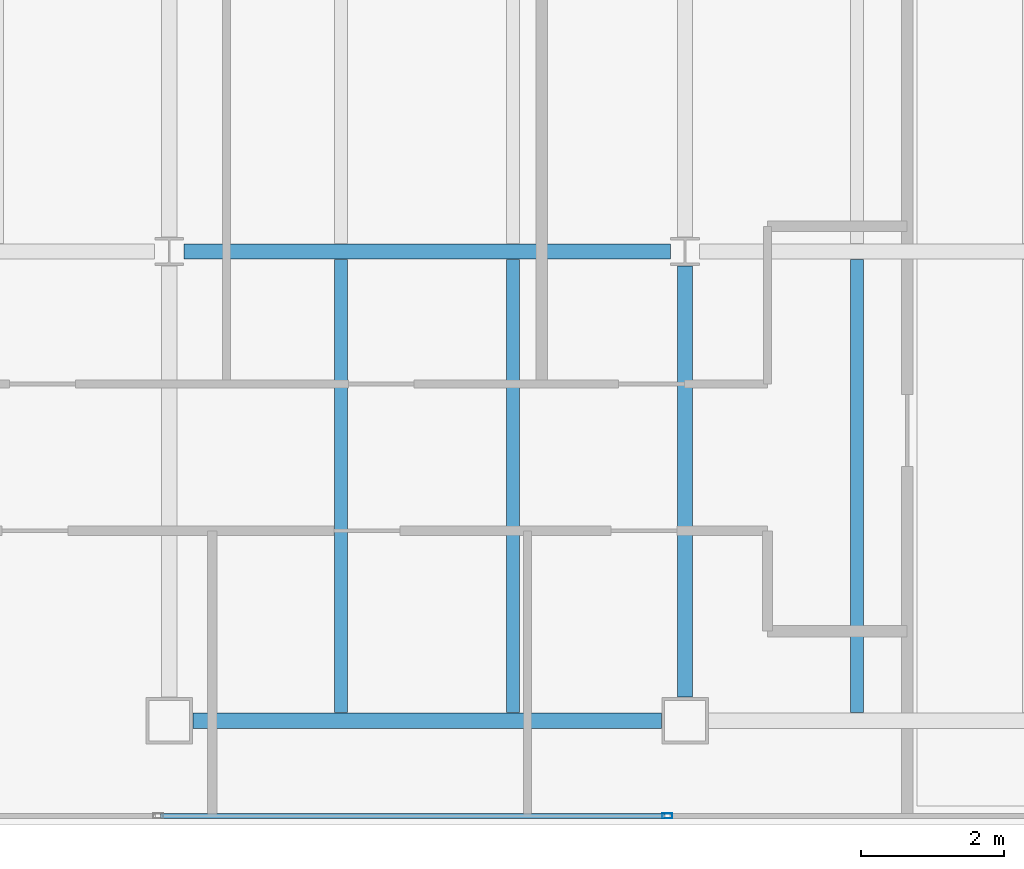
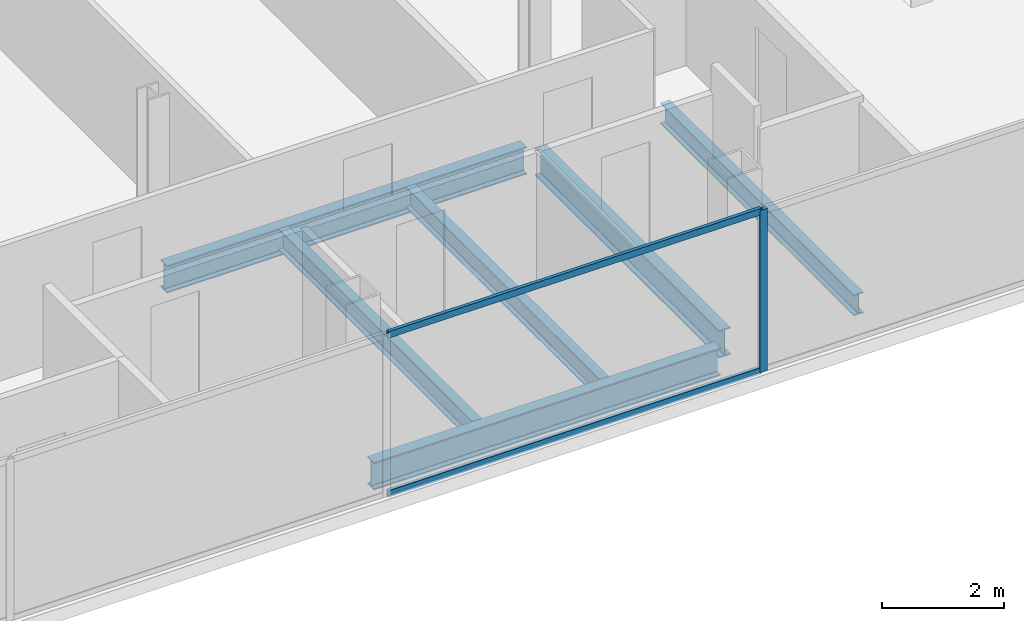
# One storey, part 6 of 23: 6 beams, 3 members, 1 element without a shape of its own.
"""IFC4 building model written with IfcOpenShell, lengths in metres."""

from ifc_helpers import new_model, si_unit, direction, frame, origin, origin_2d, place, context, subcontext, project, spatial, hollow_rectangle, i_section, extrude, material, material_profile, profile_set, type_object, element, aggregate, save


model = new_model("IFC4")

# Units and contexts
model_context = context("Model", 3, precision=1e-05, world=origin(), true_north=direction((0.0, 1.0)))
body_context = subcontext(model_context, "Body", "Model", "MODEL_VIEW")
ifc_project = project(units=[si_unit("LENGTHUNIT", "METRE"), si_unit("AREAUNIT", "SQUARE_METRE"), si_unit("VOLUMEUNIT", "CUBIC_METRE"), si_unit("PLANEANGLEUNIT", "RADIAN"), si_unit("MASSUNIT", "GRAM", prefix="KILO")], contexts=[model_context])

# Site, building, storey
site_placement = place(None, origin())
site = spatial("IfcSite", under=ifc_project, at=site_placement, CompositionType="ELEMENT")
building_placement = place(site_placement, origin())
building = spatial("IfcBuilding", under=site, at=building_placement, Name="Cobrela Telecom Tower", CompositionType="ELEMENT")
storey_placement = place(building_placement, frame((0.0, 0.0, 286.64990234375)))
storey = spatial("IfcBuildingStorey", under=building, at=storey_placement, Name="L75", CompositionType="ELEMENT", Elevation=286.64990234375)

# Beams
ifc_material_1 = material(Name="Steel ASTM A992 Grade 50", Category="steel")
ifc_material_profile_1 = material_profile(ifc_material_1, i_section(OverallWidth=0.212890625, OverallDepth=0.549072265625, WebThickness=0.0146484375, FlangeThickness=0.023681640625, FilletRadius=0.013916015625, at=origin_2d()), Name="W21X93")
ifc_profile_set_1 = profile_set([ifc_material_profile_1], Name="Steel ASTM A992 Grade 50")
beam_type_1 = type_object("IfcBeamType", Name="BM-GIRD-08", PredefinedType="USERDEFINED", material=ifc_profile_set_1)
beam_1_placement = place(storey_placement, frame((21.929931640625, 7.85009765625, -0.534423828125), z_axis=(1.0, 0.0, 0.0), x_axis=(0.0, 1.0, 0.0)))
element("IfcBeam", 1, at=beam_1_placement, inside=storey, type_object=beam_type_1, Name="L75 Primary Girder X03", ObjectType="GIRDER", PredefinedType="USERDEFINED", context=body_context, shape_type="SweptSolid", body=[
    extrude(i_section(OverallWidth=0.212890625, OverallDepth=0.549072265625, WebThickness=0.0146484375, FlangeThickness=0.023681640625, FilletRadius=0.013916015625, at=origin_2d()), origin(), (0.0, 0.0, 1.0), 6.5400390625),
])
beam_2_placement = place(storey_placement, frame((21.804443359375, 14.39990234375, -0.534423828125), z_axis=(1.0, 0.0, 0.0), x_axis=(0.0, 1.0, 0.0)))
element("IfcBeam", 2, at=beam_2_placement, inside=storey, type_object=beam_type_1, Name="L75 Primary Girder X06", ObjectType="GIRDER", PredefinedType="USERDEFINED", context=body_context, shape_type="SweptSolid", body=[
    extrude(i_section(OverallWidth=0.212890625, OverallDepth=0.549072265625, WebThickness=0.0146484375, FlangeThickness=0.023681640625, FilletRadius=0.013916015625, at=origin_2d()), origin(), (0.0, 0.0, 1.0), 6.791015625),
])
beam_3_placement = place(storey_placement, frame((28.800048828125, 8.179931640625, -0.534423828125), z_axis=(0.0, 1.0, 0.0), x_axis=(-1.0, 0.0, 0.0)))
element("IfcBeam", 3, at=beam_3_placement, inside=storey, type_object=beam_type_1, Name="L75 Primary Girder Y29", ObjectType="GIRDER", PredefinedType="USERDEFINED", context=body_context, shape_type="SweptSolid", body=[
    extrude(i_section(OverallWidth=0.212890625, OverallDepth=0.549072265625, WebThickness=0.0146484375, FlangeThickness=0.023681640625, FilletRadius=0.013916015625, at=origin_2d()), origin(), (0.0, 0.0, 1.0), 6.015625),
])
ifc_material_profile_2 = material_profile(ifc_material_1, i_section(OverallWidth=0.179931640625, OverallDepth=0.4169921875, WebThickness=0.010986328125, FlangeThickness=0.01806640625, FilletRadius=0.011962890625, at=origin_2d()), Name="W16X57")
ifc_profile_set_2 = profile_set([ifc_material_profile_2], Name="Steel ASTM A992 Grade 50")
beam_type_2 = type_object("IfcBeamType", Name="BM-JOIST-04", PredefinedType="JOIST", material=ifc_profile_set_2)
for number, where, z_axis, x_axis, name in (
    (4, (24.0, 7.96142578125, -0.468505859375), (0.0, 1.0, 0.0), (-1.0, 0.0, 0.0), "L75 Secondary Composite Floor Beam J07"),
    (5, (26.39990234375, 7.96142578125, -0.468505859375), (0.0, 1.0, 0.0), (-1.0, 0.0, 0.0), "L75 Secondary Composite Floor Beam J09"),
    (6, (31.199951171875, 7.96142578125, -0.468505859375), (0.0, 1.0, 0.0), (-1.0, 0.0, 0.0), "L75 Secondary Composite Floor Beam J11"),
):
    element("IfcBeam", number, at=place(storey_placement, frame(where, z_axis=z_axis, x_axis=x_axis)), inside=storey, type_object=beam_type_2, Name=name, PredefinedType="JOIST", context=body_context, shape_type="SweptSolid", body=[
        extrude(i_section(OverallWidth=0.179931640625, OverallDepth=0.4169921875, WebThickness=0.010986328125, FlangeThickness=0.01806640625, FilletRadius=0.011962890625, at=origin_2d()), origin(), (0.0, 0.0, 1.0), 6.3271484375),
    ])

# Curtain wall, members
ifc_material_2 = material(Name="Anodized Bronze Aluminium 6063-T6", Category="aluminium")
curtain_wall_type = type_object("IfcCurtainWallType", Name="CW-SYS-OFF-HI", PredefinedType="USERDEFINED", material=ifc_material_2)
curtain_wall_placement = place(storey_placement, origin())
curtain_wall = element("IfcCurtainWall", 7, at=curtain_wall_placement, inside=storey, type_object=curtain_wall_type, Name="L75 Unitised Bronze Curtain Wall 15", ObjectType="UNITISED CURTAIN WALL", PredefinedType="USERDEFINED")
ifc_material_profile_3 = material_profile(ifc_material_2, hollow_rectangle(XDim=0.070068359375, YDim=0.139892578125, WallThickness=0.00390625, at=origin_2d()), Name="ALU 70x140x4")
ifc_profile_set_3 = profile_set([ifc_material_profile_3], Name="Anodized Bronze Aluminium 6063-T6")
member_type_1 = type_object("IfcMemberType", Name="CW-SYS-OFF-HI-MUL", PredefinedType="MULLION", material=ifc_profile_set_3)
member_1_placement = place(storey_placement, frame((28.55322265625, 6.52001953125, 0.0), z_axis=(0.0, 0.0, 1.0), x_axis=(0.0, -1.0, 0.0)))
member_1 = element("IfcMember", 8, at=member_1_placement, type_object=member_type_1, Name="CW-OFF-HI mullion 3", PredefinedType="MULLION", context=body_context, shape_type="SweptSolid", body=[
    extrude(hollow_rectangle(XDim=0.070068359375, YDim=0.139892578125, WallThickness=0.00390625, at=origin_2d()), origin(), (0.0, 0.0, 1.0), 3.239990234375),
])
ifc_material_profile_4 = material_profile(ifc_material_2, hollow_rectangle(XDim=0.06494140625, YDim=0.1298828125, WallThickness=0.00390625, at=origin_2d()), Name="ALU 65x130x4")
ifc_profile_set_4 = profile_set([ifc_material_profile_4], Name="Anodized Bronze Aluminium 6063-T6")
member_type_2 = type_object("IfcMemberType", Name="CW-SYS-OFF-HI-TRN", PredefinedType="USERDEFINED", material=ifc_profile_set_4)
member_2_placement = place(storey_placement, frame((28.518310546875, 6.52001953125, 0.03271484375), z_axis=(-1.0, 0.0, 0.0), x_axis=(0.0, -1.0, 0.0)))
member_2 = element("IfcMember", 9, at=member_2_placement, type_object=member_type_2, Name="CW-OFF-HI transom 3.1", ObjectType="TRANSOM", PredefinedType="USERDEFINED", context=body_context, shape_type="SweptSolid", body=[
    extrude(hollow_rectangle(XDim=0.06494140625, YDim=0.1298828125, WallThickness=0.00390625, at=origin_2d()), origin(), (0.0, 0.0, 1.0), 7.038330078125),
])
member_3_placement = place(storey_placement, frame((28.518310546875, 6.52001953125, 3.20751953125), z_axis=(-1.0, 0.0, 0.0), x_axis=(0.0, -1.0, 0.0)))
member_3 = element("IfcMember", 10, at=member_3_placement, type_object=member_type_2, Name="CW-OFF-HI transom 3.2", ObjectType="TRANSOM", PredefinedType="USERDEFINED", context=body_context, shape_type="SweptSolid", body=[
    extrude(hollow_rectangle(XDim=0.06494140625, YDim=0.1298828125, WallThickness=0.00390625, at=origin_2d()), origin(), (0.0, 0.0, 1.0), 7.038330078125),
])
aggregate(curtain_wall, [member_1, member_2, member_3])

save(model, "model.ifc")
